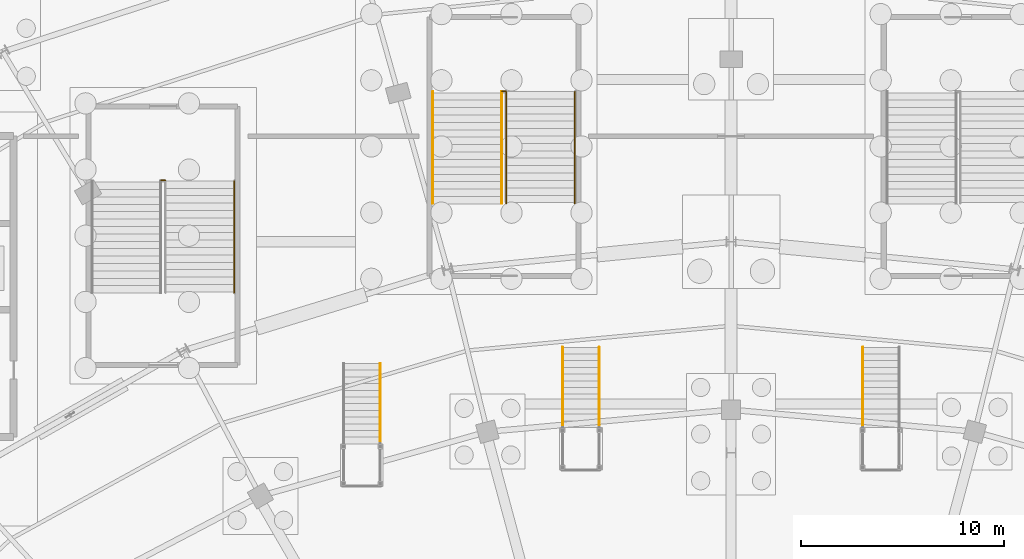
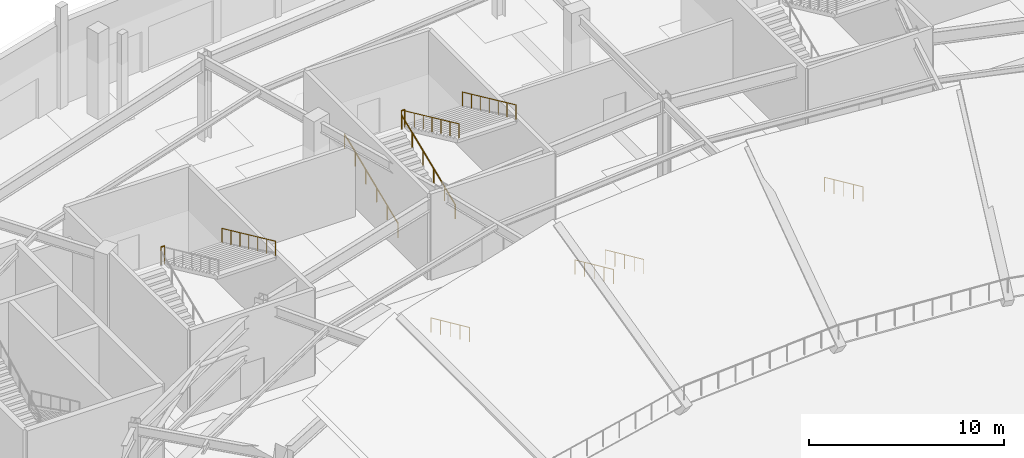
# One storey, part 82 of 93: 11 railings.
"""IFC4 building model written with IfcOpenShell, lengths in metres."""

from ifc_helpers import new_model, si_unit, direction, frame, origin, origin_2d, place, context, subcontext, project, spatial, circle, extrude, material, type_object, element, save


model = new_model("IFC4")

# Units and contexts
model_context = context("Model", 3, precision=1e-05, world=origin(), true_north=direction((0.0, 1.0)))
body_context = subcontext(model_context, "Body", "Model", "MODEL_VIEW")
ifc_project = project(units=[si_unit("LENGTHUNIT", "METRE"), si_unit("AREAUNIT", "SQUARE_METRE"), si_unit("VOLUMEUNIT", "CUBIC_METRE"), si_unit("PLANEANGLEUNIT", "RADIAN"), si_unit("MASSUNIT", "GRAM", prefix="KILO")], contexts=[model_context])

# Site, building, storey
site_placement = place(None, origin())
site = spatial("IfcSite", under=ifc_project, at=site_placement, CompositionType="ELEMENT")
building_placement = place(site_placement, origin())
building = spatial("IfcBuilding", under=site, at=building_placement, Name="Kalgoora Escarpment Arena", CompositionType="ELEMENT")
storey_placement = place(building_placement, origin())
storey = spatial("IfcBuildingStorey", under=building, at=storey_placement, Name="L00", CompositionType="ELEMENT", Elevation=0.0)

# Railings
ifc_material_1 = material(Name="Galvanised & powdercoated tubular steel", Category="steel")
railing_type_1 = type_object("IfcRailingType", Name="RAL-GUARD-1120", PredefinedType="GUARDRAIL", material=ifc_material_1)
railing_1_placement = place(storey_placement, frame((64.294921875, 107.02490234375, 2.699951171875)))
element("IfcRailing", 1, at=railing_1_placement, inside=storey, type_object=railing_type_1, Name="ST09 L00 half-landing well guard", PredefinedType="GUARDRAIL", context=body_context, shape_type="SweptSolid", body=[
    extrude(circle(Radius=0.02392578125, at=origin_2d()), frame((0.0, 0.0, 1.09619140625), z_axis=(1.0, 0.0, 0.0), x_axis=(0.0, 1.0, 0.0)), (0.0, 0.0, 1.0), 0.2099609375),
    extrude(circle(Radius=0.02099609375, at=origin_2d()), origin(), (0.0, 0.0, 1.0), 1.072021484375),
    extrude(circle(Radius=0.02099609375, at=origin_2d()), frame((0.2099609375, 0.0, 0.0)), (0.0, 0.0, 1.0), 1.072021484375),
])
railing_2_placement = place(storey_placement, frame((81.10009765625, 111.425048828125, 2.699951171875)))
element("IfcRailing", 2, at=railing_2_placement, inside=storey, type_object=railing_type_1, Name="ST10 L00 half-landing well guard", PredefinedType="GUARDRAIL", context=body_context, shape_type="SweptSolid", body=[
    extrude(circle(Radius=0.02392578125, at=origin_2d()), frame((0.0, 0.0, 1.09619140625), z_axis=(1.0, 0.0, 0.0), x_axis=(0.0, 1.0, 0.0)), (0.0, 0.0, 1.0), 0.199951171875),
    extrude(circle(Radius=0.02099609375, at=origin_2d()), origin(), (0.0, 0.0, 1.0), 1.072021484375),
    extrude(circle(Radius=0.02099609375, at=origin_2d()), frame((0.199951171875, 0.0, 0.0)), (0.0, 0.0, 1.0), 1.072021484375),
])
ifc_material_2 = material(Name="Brushed stainless steel 316 handrail", Category="steel")
railing_type_2 = type_object("IfcRailingType", Name="RAL-HAND-920", PredefinedType="HANDRAIL", material=ifc_material_2)
railing_3_placement = place(storey_placement, frame((67.89990234375, 106.9951171875, 2.828857421875)))
element("IfcRailing", 3, at=railing_3_placement, inside=storey, type_object=railing_type_2, Name="ST09 L00 pitched stair handrail F2R", PredefinedType="HANDRAIL", context=body_context, shape_type="SweptSolid", body=[
    extrude(circle(Radius=0.02392578125, at=origin_2d()), frame((0.0, 0.0, 0.89599609375), z_axis=(0.0, -0.908559891483, 0.417754621265), x_axis=(1.0, 0.0, 0.0)), (0.0, 0.0, 1.0), 6.05908203125),
    extrude(circle(Radius=0.02099609375, at=origin_2d()), origin(), (0.0, 0.0, 1.0), 0.871826171875),
    extrude(circle(Radius=0.02099609375, at=origin_2d()), frame((0.0, -0.91748046875, 0.421875)), (0.0, 0.0, 1.0), 0.871826171875),
    extrude(circle(Radius=0.02099609375, at=origin_2d()), frame((0.0, -1.8349609375, 0.84375)), (0.0, 0.0, 1.0), 0.871826171875),
    extrude(circle(Radius=0.02099609375, at=origin_2d()), frame((0.0, -2.75244140625, 1.265625)), (0.0, 0.0, 1.0), 0.871826171875),
    extrude(circle(Radius=0.02099609375, at=origin_2d()), frame((0.0, -3.670166015625, 1.6875)), (0.0, 0.0, 1.0), 0.871826171875),
    extrude(circle(Radius=0.02099609375, at=origin_2d()), frame((0.0, -4.587646484375, 2.109375)), (0.0, 0.0, 1.0), 0.871826171875),
    extrude(circle(Radius=0.02099609375, at=origin_2d()), frame((0.0, -5.505126953125, 2.53125)), (0.0, 0.0, 1.0), 0.871826171875),
])
for number, where, name in (
    (4, (77.699951171875, 105.889892578125, 0.388916015625), "ST10 L00 pitched stair handrail F1L"),
    (5, (81.090087890625, 105.889892578125, 0.388916015625), "ST10 L00 pitched stair handrail F1R"),
):
    element("IfcRailing", number, at=place(storey_placement, frame(where)), inside=storey, type_object=railing_type_2, Name=name, PredefinedType="HANDRAIL", context=body_context, shape_type="SweptSolid", body=[
        extrude(circle(Radius=0.02392578125, at=origin_2d()), frame((0.0, 0.0, 0.89599609375), z_axis=(0.0, 0.924430832969, 0.381349754236), x_axis=(-1.0, 0.0, 0.0)), (0.0, 0.0, 1.0), 5.955078125),
        extrude(circle(Radius=0.02099609375, at=origin_2d()), origin(), (0.0, 0.0, 1.0), 0.871826171875),
        extrude(circle(Radius=0.02099609375, at=origin_2d()), frame((0.0, 1.10107421875, 0.4541015625)), (0.0, 0.0, 1.0), 0.871826171875),
        extrude(circle(Radius=0.02099609375, at=origin_2d()), frame((0.0, 2.2021484375, 0.908447265625)), (0.0, 0.0, 1.0), 0.871826171875),
        extrude(circle(Radius=0.02099609375, at=origin_2d()), frame((0.0, 3.302978515625, 1.362548828125)), (0.0, 0.0, 1.0), 0.871826171875),
        extrude(circle(Radius=0.02099609375, at=origin_2d()), frame((0.0, 4.404052734375, 1.81689453125)), (0.0, 0.0, 1.0), 0.871826171875),
        extrude(circle(Radius=0.02099609375, at=origin_2d()), frame((0.0, 5.505126953125, 2.27099609375)), (0.0, 0.0, 1.0), 0.871826171875),
    ])
for number, where, name in (
    (6, (81.31005859375, 111.39501953125, 2.828857421875), "ST10 L00 pitched stair handrail F2L"),
    (7, (84.699951171875, 111.39501953125, 2.828857421875), "ST10 L00 pitched stair handrail F2R"),
):
    element("IfcRailing", number, at=place(storey_placement, frame(where)), inside=storey, type_object=railing_type_2, Name=name, PredefinedType="HANDRAIL", context=body_context, shape_type="SweptSolid", body=[
        extrude(circle(Radius=0.02392578125, at=origin_2d()), frame((0.0, 0.0, 0.89599609375), z_axis=(0.0, -0.908559891483, 0.417754621265), x_axis=(1.0, 0.0, 0.0)), (0.0, 0.0, 1.0), 6.05908203125),
        extrude(circle(Radius=0.02099609375, at=origin_2d()), origin(), (0.0, 0.0, 1.0), 0.871826171875),
        extrude(circle(Radius=0.02099609375, at=origin_2d()), frame((0.0, -0.91748046875, 0.421875)), (0.0, 0.0, 1.0), 0.871826171875),
        extrude(circle(Radius=0.02099609375, at=origin_2d()), frame((0.0, -1.8349609375, 0.84375)), (0.0, 0.0, 1.0), 0.871826171875),
        extrude(circle(Radius=0.02099609375, at=origin_2d()), frame((0.0, -2.75244140625, 1.265625)), (0.0, 0.0, 1.0), 0.871826171875),
        extrude(circle(Radius=0.02099609375, at=origin_2d()), frame((0.0, -3.670166015625, 1.6875)), (0.0, 0.0, 1.0), 0.871826171875),
        extrude(circle(Radius=0.02099609375, at=origin_2d()), frame((0.0, -4.587646484375, 2.109375)), (0.0, 0.0, 1.0), 0.871826171875),
        extrude(circle(Radius=0.02099609375, at=origin_2d()), frame((0.0, -5.505126953125, 2.53125)), (0.0, 0.0, 1.0), 0.871826171875),
    ])
for number, where, name in (
    (8, (75.10009765625, 98.0, 0.14990234375), "Vomitory VST01 handrail R"),
    (9, (84.10009765625, 98.800048828125, 0.14990234375), "Vomitory VST02 handrail L"),
    (10, (85.89990234375, 98.800048828125, 0.14990234375), "Vomitory VST02 handrail R"),
    (11, (98.89990234375, 98.800048828125, 0.14990234375), "Vomitory VST03 handrail L"),
):
    element("IfcRailing", number, at=place(storey_placement, frame(where)), inside=storey, type_object=railing_type_2, Name=name, PredefinedType="HANDRAIL", context=body_context, shape_type="SweptSolid", body=[
        extrude(circle(Radius=0.02392578125, at=origin_2d()), frame((0.0, 0.0, 0.89599609375), z_axis=(0.0, -0.910360711023, 0.413815630233), x_axis=(1.0, 0.0, 0.0)), (0.0, 0.0, 1.0), 4.349853515625),
        extrude(circle(Radius=0.02099609375, at=origin_2d()), origin(), (0.0, 0.0, 1.0), 0.871826171875),
        extrude(circle(Radius=0.02099609375, at=origin_2d()), frame((0.0, -0.989990234375, 0.449951171875)), (0.0, 0.0, 1.0), 0.871826171875),
        extrude(circle(Radius=0.02099609375, at=origin_2d()), frame((0.0, -1.97998046875, 0.89990234375)), (0.0, 0.0, 1.0), 0.871826171875),
        extrude(circle(Radius=0.02099609375, at=origin_2d()), frame((0.0, -2.969970703125, 1.35009765625)), (0.0, 0.0, 1.0), 0.871826171875),
        extrude(circle(Radius=0.02099609375, at=origin_2d()), frame((0.0, -3.9599609375, 1.800048828125)), (0.0, 0.0, 1.0), 0.871826171875),
    ])

save(model, "model.ifc")
